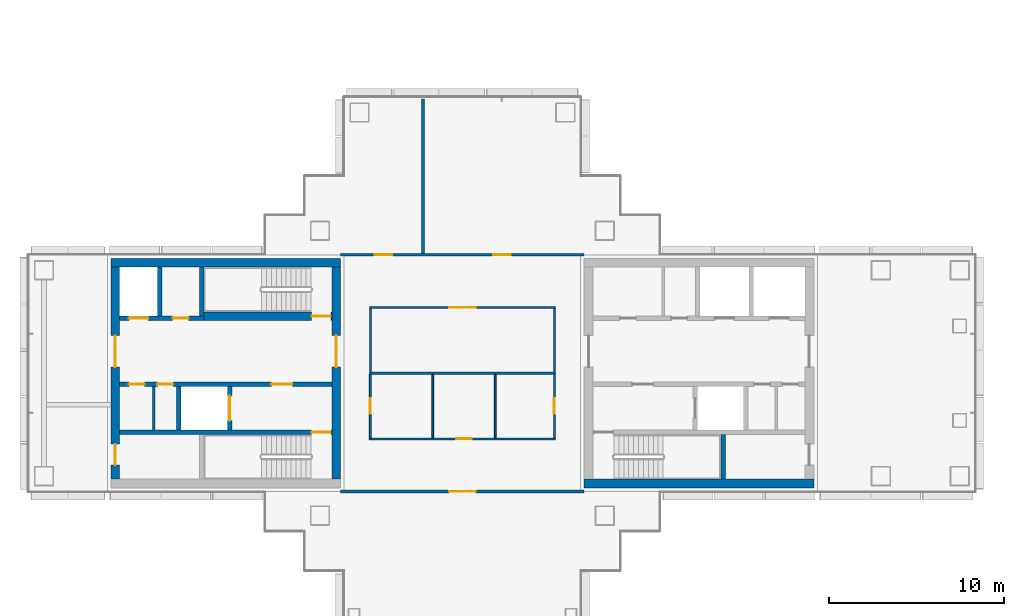
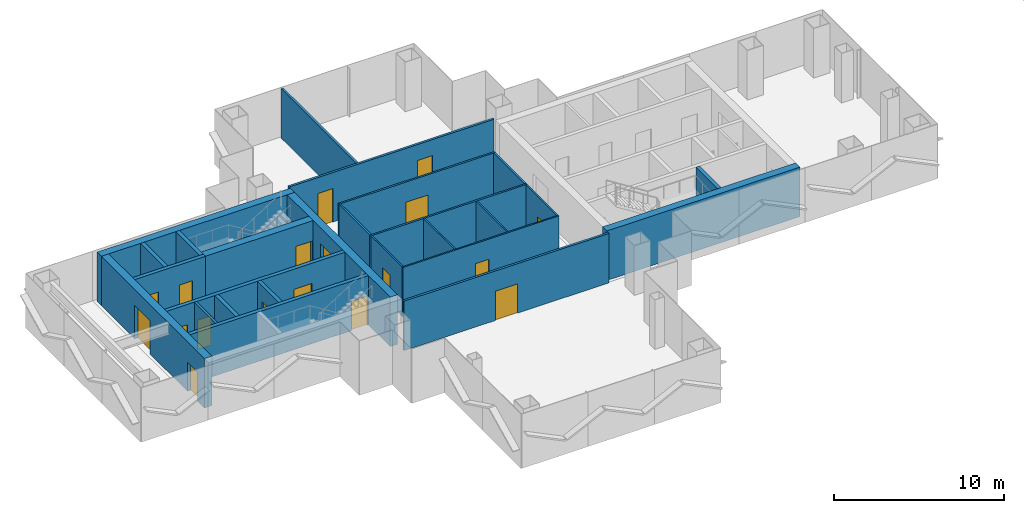
# One storey, part 9 of 16: 26 walls, 18 doors, 18 openings.
"""IFC4 building model written with IfcOpenShell, lengths in metres."""

from ifc_helpers import new_model, si_unit, direction, frame, frame_2d, origin, place, context, subcontext, project, spatial, rectangle, extrude, material, layer, layer_set, type_object, element, fill, save


model = new_model("IFC4")

# Units and contexts
model_context = context("Model", 3, precision=1e-05, world=origin(), true_north=direction((0.0, 1.0)))
body_context = subcontext(model_context, "Body", "Model", "MODEL_VIEW")
ifc_project = project(units=[si_unit("LENGTHUNIT", "METRE"), si_unit("AREAUNIT", "SQUARE_METRE"), si_unit("VOLUMEUNIT", "CUBIC_METRE"), si_unit("PLANEANGLEUNIT", "RADIAN"), si_unit("MASSUNIT", "GRAM", prefix="KILO")], contexts=[model_context])

# Site, building, storey
site_placement = place(None, origin())
site = spatial("IfcSite", under=ifc_project, at=site_placement, CompositionType="ELEMENT")
building_placement = place(site_placement, origin())
building = spatial("IfcBuilding", under=site, at=building_placement, Name="Shamsa Quay Exchange Towers", CompositionType="ELEMENT")
storey_placement = place(building_placement, frame((0.0, 0.0, 162.300048828125)))
storey = spatial("IfcBuildingStorey", under=building, at=storey_placement, Name="L38", CompositionType="ELEMENT", Elevation=162.300048828125)

# Walls
ifc_material_1 = material(Name="Concrete C60/75", Category="concrete")
ifc_layer_1 = layer(ifc_material_1, 0.5)
ifc_layer_set_1 = layer_set([ifc_layer_1], Name="CORE WALL 500 C60/75")
wall_type_1 = type_object("IfcWallType", Name="CORE WALL 500 C60/75", PredefinedType="SHEAR", material=ifc_layer_set_1)
wall_1_placement = place(storey_placement, frame((-26.800048828125, -6.300048828125, 0.0)))
element("IfcWall", 1, at=wall_1_placement, inside=storey, type_object=wall_type_1, Name="Core wall T1A-R18-PS", PredefinedType="SHEAR", context=body_context, shape_type="SweptSolid", body=[
    extrude(rectangle(XDim=13.10009765625, YDim=0.5, at=frame_2d((6.550048828125, 0.0))), origin(), (0.0, 0.0, 1.0), 3.550048828125),
])
wall_2_placement = place(storey_placement, frame((-40.699951171875, 6.300048828125, 0.0), z_axis=(0.0, 0.0, 1.0), x_axis=(-1.0, 0.0, 0.0)))
element("IfcWall", 2, at=wall_2_placement, inside=storey, type_object=wall_type_1, Name="Core wall T1B-R18-PN", PredefinedType="SHEAR", context=body_context, shape_type="SweptSolid", body=[
    extrude(rectangle(XDim=13.10009765625, YDim=0.5, at=frame_2d((6.550048828125, 0.0))), origin(), (0.0, 0.0, 1.0), 3.550048828125),
])

# Wall, opening, door
wall_3_placement = place(storey_placement, frame((-40.949951171875, -6.050048828125, 0.0), z_axis=(0.0, 0.0, 1.0), x_axis=(0.0, 1.0, 0.0)))
wall_3 = element("IfcWall", 3, at=wall_3_placement, inside=storey, type_object=wall_type_1, Name="Core wall T1B-R18-PF", PredefinedType="SHEAR", context=body_context, shape_type="SweptSolid", body=[
    extrude(rectangle(XDim=12.10009765625, YDim=0.5, at=frame_2d((6.050048828125, 0.0))), origin(), (0.0, 0.0, 1.0), 3.550048828125),
])
opening_1_placement = place(wall_3_placement, frame((6.39990234375, 0.0, 0.0)))
opening_1 = element("IfcOpeningElement", 4, at=opening_1_placement, cuts=wall_3, Name="Opening T1B-R18-LBD01", PredefinedType="OPENING", context=body_context, shape_type="SweptSolid", body=[
    extrude(rectangle(XDim=1.800048828125, YDim=2.39990234375, at=frame_2d((0.89990234375, 1.199951171875))), frame((0.0, 0.260009765625, 0.0), z_axis=(0.0, -1.0, 0.0), x_axis=(1.0, 0.0, 0.0)), (0.0, 0.0, 1.0), 0.52001953125),
])
ifc_material_2 = material(Name="Steel, fire rated", Category="steel")
door_type_1 = type_object("IfcDoorType", Name="LIFT LOBBY DOOR PAIR 1800", OperationType="DOUBLE_DOOR_SINGLE_SWING", PredefinedType="DOOR", material=ifc_material_2)
door_1_placement = place(opening_1_placement, origin())
door_1 = element("IfcDoor", 5, at=door_1_placement, inside=storey, type_object=door_type_1, Name="T1B-R18-LBD01", OperationType="DOUBLE_DOOR_SINGLE_SWING", OverallHeight=2.39990234375, OverallWidth=1.800048828125, PredefinedType="DOOR", context=body_context, shape_type="SweptSolid", body=[
    extrude(rectangle(XDim=1.800048828125, YDim=2.39990234375, at=frame_2d((0.89990234375, 1.199951171875))), frame((0.0, 0.02490234375, 0.0), z_axis=(0.0, -1.0, 0.0), x_axis=(1.0, 0.0, 0.0)), (0.0, 0.0, 1.0), 0.050048828125),
])
fill(opening_1, door_1)

# Wall, openings, doors
wall_4_placement = place(storey_placement, frame((-53.550048828125, -6.050048828125, 0.0), z_axis=(0.0, 0.0, 1.0), x_axis=(0.0, 1.0, 0.0)))
wall_4 = element("IfcWall", 6, at=wall_4_placement, inside=storey, type_object=wall_type_1, Name="Core wall T1B-R18-PB", PredefinedType="SHEAR", context=body_context, shape_type="SweptSolid", body=[
    extrude(rectangle(XDim=12.10009765625, YDim=0.5, at=frame_2d((6.050048828125, 0.0))), origin(), (0.0, 0.0, 1.0), 3.550048828125),
])
opening_2_placement = place(wall_4_placement, frame((0.800048828125, 0.0, 0.0)))
opening_2 = element("IfcOpeningElement", 7, at=opening_2_placement, cuts=wall_4, Name="Opening T1B-R18-RD02", PredefinedType="OPENING", context=body_context, shape_type="SweptSolid", body=[
    extrude(rectangle(XDim=1.199951171875, YDim=2.10009765625, at=frame_2d((0.60009765625, 1.050048828125))), frame((0.0, 0.260009765625, 0.0), z_axis=(0.0, -1.0, 0.0), x_axis=(1.0, 0.0, 0.0)), (0.0, 0.0, 1.0), 0.52001953125),
])
opening_3_placement = place(wall_4_placement, frame((6.39990234375, 0.0, 0.0)))
opening_3 = element("IfcOpeningElement", 8, at=opening_3_placement, cuts=wall_4, Name="Opening T1B-R18-LBD03", PredefinedType="OPENING", context=body_context, shape_type="SweptSolid", body=[
    extrude(rectangle(XDim=1.800048828125, YDim=2.39990234375, at=frame_2d((0.89990234375, 1.199951171875))), frame((0.0, 0.260009765625, 0.0), z_axis=(0.0, -1.0, 0.0), x_axis=(1.0, 0.0, 0.0)), (0.0, 0.0, 1.0), 0.52001953125),
])
door_2_placement = place(opening_3_placement, origin())
door_2 = element("IfcDoor", 9, at=door_2_placement, inside=storey, type_object=door_type_1, Name="T1B-R18-LBD03", OperationType="DOUBLE_DOOR_SINGLE_SWING", OverallHeight=2.39990234375, OverallWidth=1.800048828125, PredefinedType="DOOR", context=body_context, shape_type="SweptSolid", body=[
    extrude(rectangle(XDim=1.800048828125, YDim=2.39990234375, at=frame_2d((0.89990234375, 1.199951171875))), frame((0.0, 0.02490234375, 0.0), z_axis=(0.0, -1.0, 0.0), x_axis=(1.0, 0.0, 0.0)), (0.0, 0.0, 1.0), 0.050048828125),
])
fill(opening_3, door_2)
door_type_2 = type_object("IfcDoorType", Name="RISER ACCESS DOOR 1200", OperationType="SINGLE_SWING_LEFT", PredefinedType="DOOR", material=ifc_material_2)
door_3_placement = place(opening_2_placement, origin())
door_3 = element("IfcDoor", 10, at=door_3_placement, inside=storey, type_object=door_type_2, Name="T1B-R18-RD02", OperationType="SINGLE_SWING_LEFT", OverallHeight=2.10009765625, OverallWidth=1.199951171875, PredefinedType="DOOR", context=body_context, shape_type="SweptSolid", body=[
    extrude(rectangle(XDim=1.199951171875, YDim=2.10009765625, at=frame_2d((0.60009765625, 1.050048828125))), frame((0.0, 0.02490234375, 0.0), z_axis=(0.0, -1.0, 0.0), x_axis=(1.0, 0.0, 0.0)), (0.0, 0.0, 1.0), 0.050048828125),
])
fill(opening_2, door_3)

# Walls
ifc_material_3 = material(Name="Gypsum board on steel studs, EI 60", Category="steel")
ifc_layer_2 = layer(ifc_material_3, 0.14990234375)
ifc_layer_set_2 = layer_set([ifc_layer_2], Name="FIRE PARTITION 150")
wall_type_2 = type_object("IfcWallType", Name="FIRE PARTITION 150", PredefinedType="PARTITIONING", material=ifc_layer_set_2)
wall_5_placement = place(storey_placement, frame((-51.35009765625, -3.25, 0.0), z_axis=(0.0, 0.0, 1.0), x_axis=(0.0, 1.0, 0.0)))
element("IfcWall", 11, at=wall_5_placement, inside=storey, type_object=wall_type_2, Name="Partition T1B-R18-EC0", PredefinedType="PARTITIONING", context=body_context, shape_type="SweptSolid", body=[
    extrude(rectangle(XDim=2.5, YDim=0.14990234375, at=frame_2d((1.25, 0.0))), origin(), (0.0, 0.0, 1.0), 3.550048828125),
])
ifc_material_4 = material(Name="Laminated fire-resisting glass in a metal frame", Category="glass")
ifc_layer_3 = layer(ifc_material_4, 0.125)
ifc_layer_set_3 = layer_set([ifc_layer_3], Name="Glazed partition 125 mm EI 60")
wall_type_3 = type_object("IfcWallType", Name="Glazed partition 125 mm EI 60", PredefinedType="PARTITIONING", material=ifc_layer_set_3)
for number, where, z_axis, x_axis, name in (
    (12, (-39.0, 3.6875, 0.0), (0.0, 0.0, 1.0), (0.0, -1.0, 0.0), "Partition T1-R18-W04"),
    (13, (-28.5, 0.0625, 0.0), (0.0, 0.0, 1.0), (0.0, 1.0, 0.0), "Partition T1-R18-W05"),
):
    element("IfcWall", number, at=place(storey_placement, frame(where, z_axis=z_axis, x_axis=x_axis)), inside=storey, type_object=wall_type_3, Name=name, PredefinedType="PARTITIONING", context=body_context, shape_type="SweptSolid", body=[
        extrude(rectangle(XDim=3.625, YDim=0.125, at=frame_2d((1.8125, 0.0))), origin(), (0.0, 0.0, 1.0), 3.550048828125),
    ])

# Wall, opening, door
wall_6_placement = place(storey_placement, frame((-28.4375, 3.75, 0.0), z_axis=(0.0, 0.0, 1.0), x_axis=(-1.0, 0.0, 0.0)))
wall_6 = element("IfcWall", 14, at=wall_6_placement, inside=storey, type_object=wall_type_3, Name="Partition T1-R18-W06", PredefinedType="PARTITIONING", context=body_context, shape_type="SweptSolid", body=[
    extrude(rectangle(XDim=10.625, YDim=0.125, at=frame_2d((5.3125, 0.0))), origin(), (0.0, 0.0, 1.0), 3.550048828125),
])
opening_4_placement = place(wall_6_placement, frame((4.5625, 0.0, 0.0)))
opening_4 = element("IfcOpeningElement", 15, at=opening_4_placement, cuts=wall_6, Name="Opening T1-R18-D06", PredefinedType="OPENING", context=body_context, shape_type="SweptSolid", body=[
    extrude(rectangle(XDim=1.5, YDim=2.10009765625, at=frame_2d((0.75, 1.050048828125))), frame((0.0, 0.072509765625, 0.0), z_axis=(0.0, -1.0, 0.0), x_axis=(1.0, 0.0, 0.0)), (0.0, 0.0, 1.0), 0.14501953125),
])
ifc_material_5 = material(Name="Timber door leaf in a metal frame", Category="wood")
door_type_3 = type_object("IfcDoorType", Name="Door 1500x2100 FD30S pair", OperationType="NOTDEFINED", PredefinedType="DOOR", material=ifc_material_5)
door_4_placement = place(opening_4_placement, origin())
door_4 = element("IfcDoor", 16, at=door_4_placement, inside=storey, type_object=door_type_3, Name="Door T1-R18-D06", OperationType="DOUBLE_DOOR_SINGLE_SWING", OverallHeight=2.10009765625, OverallWidth=1.5, PredefinedType="DOOR", context=body_context, shape_type="SweptSolid", body=[
    extrude(rectangle(XDim=1.5, YDim=2.10009765625, at=frame_2d((0.75, 1.050048828125))), frame((0.0, 0.02490234375, 0.0), z_axis=(0.0, -1.0, 0.0), x_axis=(1.0, 0.0, 0.0)), (0.0, 0.0, 1.0), 0.050048828125),
])
fill(opening_4, door_4)

# Wall
wall_7_placement = place(storey_placement, frame((-28.4375, 0.0, 0.0), z_axis=(0.0, 0.0, 1.0), x_axis=(-1.0, 0.0, 0.0)))
element("IfcWall", 17, at=wall_7_placement, inside=storey, type_object=wall_type_3, Name="Partition T1-R18-W10", PredefinedType="PARTITIONING", context=body_context, shape_type="SweptSolid", body=[
    extrude(rectangle(XDim=10.625, YDim=0.125, at=frame_2d((5.3125, 0.0))), origin(), (0.0, 0.0, 1.0), 3.550048828125),
])

# Wall, opening, door
ifc_material_6 = material(Name="Gypsum board partition on metal studs")
ifc_layer_4 = layer(ifc_material_6, 0.10009765625)
ifc_layer_set_4 = layer_set([ifc_layer_4], Name="Partition 100 mm NOT RATED")
wall_type_4 = type_object("IfcWallType", Name="Partition 100 mm NOT RATED", PredefinedType="PARTITIONING", material=ifc_layer_set_4)
wall_8_placement = place(storey_placement, frame((-39.0, -0.0625, 0.0), z_axis=(0.0, 0.0, 1.0), x_axis=(0.0, -1.0, 0.0)))
wall_8 = element("IfcWall", 18, at=wall_8_placement, inside=storey, type_object=wall_type_4, Name="Partition T1-R18-W01", PredefinedType="PARTITIONING", context=body_context, shape_type="SweptSolid", body=[
    extrude(rectangle(XDim=3.637451171875, YDim=0.10009765625, at=frame_2d((1.81884765625, 0.0))), origin(), (0.0, 0.0, 1.0), 3.550048828125),
])
opening_5_placement = place(wall_8_placement, frame((1.362548828125, 0.0, 0.0)))
opening_5 = element("IfcOpeningElement", 19, at=opening_5_placement, cuts=wall_8, Name="Opening T1-R18-D04", PredefinedType="OPENING", context=body_context, shape_type="SweptSolid", body=[
    extrude(rectangle(XDim=0.89990234375, YDim=2.10009765625, at=frame_2d((0.449951171875, 1.050048828125))), frame((0.0, 0.06005859375, 0.0), z_axis=(0.0, -1.0, 0.0), x_axis=(1.0, 0.0, 0.0)), (0.0, 0.0, 1.0), 0.1201171875),
])
door_type_4 = type_object("IfcDoorType", Name="Door 900x2100 NOT RATED", OperationType="NOTDEFINED", PredefinedType="DOOR", material=ifc_material_5)
door_5_placement = place(opening_5_placement, origin())
door_5 = element("IfcDoor", 20, at=door_5_placement, inside=storey, type_object=door_type_4, Name="Door T1-R18-D04", OperationType="SINGLE_SWING_LEFT", OverallHeight=2.10009765625, OverallWidth=0.89990234375, PredefinedType="DOOR", context=body_context, shape_type="SweptSolid", body=[
    extrude(rectangle(XDim=0.89990234375, YDim=2.10009765625, at=frame_2d((0.449951171875, 1.050048828125))), frame((0.0, 0.02490234375, 0.0), z_axis=(0.0, -1.0, 0.0), x_axis=(1.0, 0.0, 0.0)), (0.0, 0.0, 1.0), 0.050048828125),
])
fill(opening_5, door_5)

wall_9_placement = place(storey_placement, frame((-39.050048828125, -3.75, 0.0)))
wall_9 = element("IfcWall", 21, at=wall_9_placement, inside=storey, type_object=wall_type_4, Name="Partition T1-R18-W02", PredefinedType="PARTITIONING", context=body_context, shape_type="SweptSolid", body=[
    extrude(rectangle(XDim=10.60009765625, YDim=0.10009765625, at=frame_2d((5.300048828125, 0.0))), origin(), (0.0, 0.0, 1.0), 3.550048828125),
])
opening_6_placement = place(wall_9_placement, frame((4.943603515625, 0.0, 0.0)))
opening_6 = element("IfcOpeningElement", 22, at=opening_6_placement, cuts=wall_9, Name="Opening T1-R18-D03", PredefinedType="OPENING", context=body_context, shape_type="SweptSolid", body=[
    extrude(rectangle(XDim=0.89990234375, YDim=2.10009765625, at=frame_2d((0.449951171875, 1.050048828125))), frame((0.0, 0.06005859375, 0.0), z_axis=(0.0, -1.0, 0.0), x_axis=(1.0, 0.0, 0.0)), (0.0, 0.0, 1.0), 0.1201171875),
])
door_6_placement = place(opening_6_placement, origin())
door_6 = element("IfcDoor", 23, at=door_6_placement, inside=storey, type_object=door_type_4, Name="Door T1-R18-D03", OperationType="SINGLE_SWING_RIGHT", OverallHeight=2.10009765625, OverallWidth=0.89990234375, PredefinedType="DOOR", context=body_context, shape_type="SweptSolid", body=[
    extrude(rectangle(XDim=0.89990234375, YDim=2.10009765625, at=frame_2d((0.449951171875, 1.050048828125))), frame((0.0, 0.02490234375, 0.0), z_axis=(0.0, -1.0, 0.0), x_axis=(1.0, 0.0, 0.0)), (0.0, 0.0, 1.0), 0.050048828125),
])
fill(opening_6, door_6)

wall_10_placement = place(storey_placement, frame((-28.5, -3.699951171875, 0.0), z_axis=(0.0, 0.0, 1.0), x_axis=(0.0, 1.0, 0.0)))
wall_10 = element("IfcWall", 24, at=wall_10_placement, inside=storey, type_object=wall_type_4, Name="Partition T1-R18-W03", PredefinedType="PARTITIONING", context=body_context, shape_type="SweptSolid", body=[
    extrude(rectangle(XDim=3.637451171875, YDim=0.10009765625, at=frame_2d((1.81884765625, 0.0))), origin(), (0.0, 0.0, 1.0), 3.550048828125),
])
opening_7_placement = place(wall_10_placement, frame((1.375, 0.0, 0.0)))
opening_7 = element("IfcOpeningElement", 25, at=opening_7_placement, cuts=wall_10, Name="Opening T1-R18-D05", PredefinedType="OPENING", context=body_context, shape_type="SweptSolid", body=[
    extrude(rectangle(XDim=0.89990234375, YDim=2.10009765625, at=frame_2d((0.449951171875, 1.050048828125))), frame((0.0, 0.06005859375, 0.0), z_axis=(0.0, -1.0, 0.0), x_axis=(1.0, 0.0, 0.0)), (0.0, 0.0, 1.0), 0.1201171875),
])
door_7_placement = place(opening_7_placement, origin())
door_7 = element("IfcDoor", 26, at=door_7_placement, inside=storey, type_object=door_type_4, Name="Door T1-R18-D05", OperationType="SINGLE_SWING_RIGHT", OverallHeight=2.10009765625, OverallWidth=0.89990234375, PredefinedType="DOOR", context=body_context, shape_type="SweptSolid", body=[
    extrude(rectangle(XDim=0.89990234375, YDim=2.10009765625, at=frame_2d((0.449951171875, 1.050048828125))), frame((0.0, 0.02490234375, 0.0), z_axis=(0.0, -1.0, 0.0), x_axis=(1.0, 0.0, 0.0)), (0.0, 0.0, 1.0), 0.050048828125),
])
fill(opening_7, door_7)

# Walls
for number, where, z_axis, x_axis, name in (
    (27, (-35.4375, -3.699951171875, 0.0), (0.0, 0.0, 1.0), (0.0, 1.0, 0.0), "Partition T1-R18-W09"),
    (28, (-31.875, -3.699951171875, 0.0), (0.0, 0.0, 1.0), (0.0, 1.0, 0.0), "Partition T1-R18-W11"),
):
    element("IfcWall", number, at=place(storey_placement, frame(where, z_axis=z_axis, x_axis=x_axis)), inside=storey, type_object=wall_type_4, Name=name, PredefinedType="PARTITIONING", context=body_context, shape_type="SweptSolid", body=[
        extrude(rectangle(XDim=3.637451171875, YDim=0.10009765625, at=frame_2d((1.81884765625, 0.0))), origin(), (0.0, 0.0, 1.0), 3.550048828125),
    ])

# Wall, openings, doors
ifc_layer_5 = layer(ifc_material_6, 0.14990234375)
ifc_layer_set_5 = layer_set([ifc_layer_5], Name="Partition 150 mm EI 60")
wall_type_5 = type_object("IfcWallType", Name="Partition 150 mm EI 60", PredefinedType="PARTITIONING", material=ifc_layer_set_5)
wall_11_placement = place(storey_placement, frame((-40.699951171875, 6.75, 0.0)))
wall_11 = element("IfcWall", 29, at=wall_11_placement, inside=storey, type_object=wall_type_5, Name="Partition T1-R18-W07", PredefinedType="PARTITIONING", context=body_context, shape_type="SweptSolid", body=[
    extrude(rectangle(XDim=13.89990234375, YDim=0.14990234375, at=frame_2d((6.949951171875, 0.0))), origin(), (0.0, 0.0, 1.0), 3.550048828125),
])
opening_8_placement = place(wall_11_placement, frame((1.949951171875, 0.0, 0.0)))
opening_8 = element("IfcOpeningElement", 30, at=opening_8_placement, cuts=wall_11, Name="Opening T1-R18-D01", PredefinedType="OPENING", context=body_context, shape_type="SweptSolid", body=[
    extrude(rectangle(XDim=1.0, YDim=2.39990234375, at=frame_2d((0.5, 1.199951171875))), frame((0.0, 0.0849609375, 0.0), z_axis=(0.0, -1.0, 0.0), x_axis=(1.0, 0.0, 0.0)), (0.0, 0.0, 1.0), 0.169921875),
])
opening_9_placement = place(wall_11_placement, frame((8.699951171875, 0.0, 0.0)))
opening_9 = element("IfcOpeningElement", 31, at=opening_9_placement, cuts=wall_11, Name="Opening T1-R18-D02", PredefinedType="OPENING", context=body_context, shape_type="SweptSolid", body=[
    extrude(rectangle(XDim=1.0, YDim=2.39990234375, at=frame_2d((0.5, 1.199951171875))), frame((0.0, 0.0849609375, 0.0), z_axis=(0.0, -1.0, 0.0), x_axis=(1.0, 0.0, 0.0)), (0.0, 0.0, 1.0), 0.169921875),
])
door_type_5 = type_object("IfcDoorType", Name="Door 1000x2400 FD30S", OperationType="NOTDEFINED", PredefinedType="DOOR", material=ifc_material_5)
door_8_placement = place(opening_8_placement, origin())
door_8 = element("IfcDoor", 32, at=door_8_placement, inside=storey, type_object=door_type_5, Name="Door T1-R18-D01", OperationType="SINGLE_SWING_RIGHT", OverallHeight=2.39990234375, OverallWidth=1.0, PredefinedType="DOOR", context=body_context, shape_type="SweptSolid", body=[
    extrude(rectangle(XDim=1.0, YDim=2.39990234375, at=frame_2d((0.5, 1.199951171875))), frame((0.0, 0.02490234375, 0.0), z_axis=(0.0, -1.0, 0.0), x_axis=(1.0, 0.0, 0.0)), (0.0, 0.0, 1.0), 0.050048828125),
])
fill(opening_8, door_8)
door_9_placement = place(opening_9_placement, origin())
door_9 = element("IfcDoor", 33, at=door_9_placement, inside=storey, type_object=door_type_5, Name="Door T1-R18-D02", OperationType="SINGLE_SWING_LEFT", OverallHeight=2.39990234375, OverallWidth=1.0, PredefinedType="DOOR", context=body_context, shape_type="SweptSolid", body=[
    extrude(rectangle(XDim=1.0, YDim=2.39990234375, at=frame_2d((0.5, 1.199951171875))), frame((0.0, 0.02490234375, 0.0), z_axis=(0.0, -1.0, 0.0), x_axis=(1.0, 0.0, 0.0)), (0.0, 0.0, 1.0), 0.050048828125),
])
fill(opening_9, door_9)

# Wall, opening, door
wall_12_placement = place(storey_placement, frame((-26.800048828125, -6.75, 0.0), z_axis=(0.0, 0.0, 1.0), x_axis=(-1.0, 0.0, 0.0)))
wall_12 = element("IfcWall", 34, at=wall_12_placement, inside=storey, type_object=wall_type_5, Name="Partition T1-R18-W08", PredefinedType="PARTITIONING", context=body_context, shape_type="SweptSolid", body=[
    extrude(rectangle(XDim=13.89990234375, YDim=0.14990234375, at=frame_2d((6.949951171875, 0.0))), origin(), (0.0, 0.0, 1.0), 3.550048828125),
])
opening_10_placement = place(wall_12_placement, frame((6.199951171875, 0.0, 0.0)))
opening_10 = element("IfcOpeningElement", 35, at=opening_10_placement, cuts=wall_12, Name="Opening T1-R18-D07", PredefinedType="OPENING", context=body_context, shape_type="SweptSolid", body=[
    extrude(rectangle(XDim=1.5, YDim=2.10009765625, at=frame_2d((0.75, 1.050048828125))), frame((0.0, 0.0849609375, 0.0), z_axis=(0.0, -1.0, 0.0), x_axis=(1.0, 0.0, 0.0)), (0.0, 0.0, 1.0), 0.169921875),
])
door_10_placement = place(opening_10_placement, origin())
door_10 = element("IfcDoor", 36, at=door_10_placement, inside=storey, type_object=door_type_3, Name="Door T1-R18-D07", OperationType="DOUBLE_DOOR_SINGLE_SWING", OverallHeight=2.10009765625, OverallWidth=1.5, PredefinedType="DOOR", context=body_context, shape_type="SweptSolid", body=[
    extrude(rectangle(XDim=1.5, YDim=2.10009765625, at=frame_2d((0.75, 1.050048828125))), frame((0.0, 0.02490234375, 0.0), z_axis=(0.0, -1.0, 0.0), x_axis=(1.0, 0.0, 0.0)), (0.0, 0.0, 1.0), 0.050048828125),
])
fill(opening_10, door_10)

# Walls
wall_13_placement = place(storey_placement, frame((-36.0, 6.824951171875, 0.0), z_axis=(0.0, 0.0, 1.0), x_axis=(0.0, 1.0, 0.0)))
element("IfcWall", 37, at=wall_13_placement, inside=storey, type_object=wall_type_5, Name="Partition T1-R18-W12", PredefinedType="PARTITIONING", context=body_context, shape_type="SweptSolid", body=[
    extrude(rectangle(XDim=8.830078125, YDim=0.14990234375, at=frame_2d((4.4150390625, 0.0))), origin(), (0.0, 0.0, 1.0), 3.550048828125),
])
ifc_material_7 = material(Name="Concrete C50/60", Category="concrete")
ifc_layer_6 = layer(ifc_material_7, 0.25)
ifc_layer_set_6 = layer_set([ifc_layer_6], Name="SHAFT WALL 250 C50/60")
wall_type_6 = type_object("IfcWallType", Name="SHAFT WALL 250 C50/60", PredefinedType="SHEAR", material=ifc_layer_set_6)
wall_14_placement = place(storey_placement, frame((-18.875, -6.050048828125, 0.0), z_axis=(0.0, 0.0, 1.0), x_axis=(0.0, 1.0, 0.0)))
element("IfcWall", 38, at=wall_14_placement, inside=storey, type_object=wall_type_6, Name="Shaft wall T1A-R18-STF", PredefinedType="SHEAR", context=body_context, shape_type="SweptSolid", body=[
    extrude(rectangle(XDim=2.550048828125, YDim=0.25, at=frame_2d((1.27490234375, 0.0))), origin(), (0.0, 0.0, 1.0), 3.550048828125),
])

# Wall, opening, door
wall_15_placement = place(storey_placement, frame((-41.199951171875, -3.375, 0.0), z_axis=(0.0, 0.0, 1.0), x_axis=(-1.0, 0.0, 0.0)))
wall_15 = element("IfcWall", 39, at=wall_15_placement, inside=storey, type_object=wall_type_6, Name="Shaft wall T1B-R18-STL", PredefinedType="SHEAR", context=body_context, shape_type="SweptSolid", body=[
    extrude(rectangle(XDim=12.10009765625, YDim=0.25, at=frame_2d((6.050048828125, 0.0))), origin(), (0.0, 0.0, 1.0), 3.550048828125),
])
opening_11_placement = place(wall_15_placement, frame((0.050048828125, 0.0, 0.0)))
opening_11 = element("IfcOpeningElement", 40, at=opening_11_placement, cuts=wall_15, Name="Opening T1B-R18-SD04", PredefinedType="OPENING", context=body_context, shape_type="SweptSolid", body=[
    extrude(rectangle(XDim=1.10009765625, YDim=2.10009765625, at=frame_2d((0.550048828125, 1.050048828125))), frame((0.0, 0.135009765625, 0.0), z_axis=(0.0, -1.0, 0.0), x_axis=(1.0, 0.0, 0.0)), (0.0, 0.0, 1.0), 0.27001953125),
])
door_type_6 = type_object("IfcDoorType", Name="STAIR DOOR 1100", OperationType="SINGLE_SWING_LEFT", PredefinedType="DOOR", material=ifc_material_2)
door_11_placement = place(opening_11_placement, origin())
door_11 = element("IfcDoor", 41, at=door_11_placement, inside=storey, type_object=door_type_6, Name="T1B-R18-SD04", OperationType="SINGLE_SWING_LEFT", OverallHeight=2.10009765625, OverallWidth=1.10009765625, PredefinedType="DOOR", context=body_context, shape_type="SweptSolid", body=[
    extrude(rectangle(XDim=1.10009765625, YDim=2.10009765625, at=frame_2d((0.550048828125, 1.050048828125))), frame((0.0, 0.02490234375, 0.0), z_axis=(0.0, -1.0, 0.0), x_axis=(1.0, 0.0, 0.0)), (0.0, 0.0, 1.0), 0.050048828125),
])
fill(opening_11, door_11)

# Wall, openings, doors
wall_16_placement = place(storey_placement, frame((-41.199951171875, -0.625, 0.0), z_axis=(0.0, 0.0, 1.0), x_axis=(-1.0, 0.0, 0.0)))
wall_16 = element("IfcWall", 42, at=wall_16_placement, inside=storey, type_object=wall_type_6, Name="Shaft wall T1B-R18-B", PredefinedType="SHEAR", context=body_context, shape_type="SweptSolid", body=[
    extrude(rectangle(XDim=12.10009765625, YDim=0.25, at=frame_2d((6.050048828125, 0.0))), origin(), (0.0, 0.0, 1.0), 3.550048828125),
])
opening_12_placement = place(wall_16_placement, frame((2.25, 0.0, 0.0)))
opening_12 = element("IfcOpeningElement", 43, at=opening_12_placement, cuts=wall_16, Name="Opening T1B-R18-FD05", PredefinedType="OPENING", context=body_context, shape_type="SweptSolid", body=[
    extrude(rectangle(XDim=1.199951171875, YDim=2.10009765625, at=frame_2d((0.60009765625, 1.050048828125))), frame((0.0, 0.135009765625, 0.0), z_axis=(0.0, -1.0, 0.0), x_axis=(1.0, 0.0, 0.0)), (0.0, 0.0, 1.0), 0.27001953125),
])
opening_13_placement = place(wall_16_placement, frame((9.050048828125, 0.0, 0.0)))
opening_13 = element("IfcOpeningElement", 44, at=opening_13_placement, cuts=wall_16, Name="Opening T1B-R18-SV06", PredefinedType="OPENING", context=body_context, shape_type="SweptSolid", body=[
    extrude(rectangle(XDim=0.89990234375, YDim=2.10009765625, at=frame_2d((0.449951171875, 1.050048828125))), frame((0.0, 0.135009765625, 0.0), z_axis=(0.0, -1.0, 0.0), x_axis=(1.0, 0.0, 0.0)), (0.0, 0.0, 1.0), 0.27001953125),
])
opening_14_placement = place(wall_16_placement, frame((10.675048828125, 0.0, 0.0)))
opening_14 = element("IfcOpeningElement", 45, at=opening_14_placement, cuts=wall_16, Name="Opening T1B-R18-SV07", PredefinedType="OPENING", context=body_context, shape_type="SweptSolid", body=[
    extrude(rectangle(XDim=0.89990234375, YDim=2.10009765625, at=frame_2d((0.449951171875, 1.050048828125))), frame((0.0, 0.135009765625, 0.0), z_axis=(0.0, -1.0, 0.0), x_axis=(1.0, 0.0, 0.0)), (0.0, 0.0, 1.0), 0.27001953125),
])
door_type_7 = type_object("IfcDoorType", Name="FIRE SERVICE LOBBY DOOR 1200", OperationType="SINGLE_SWING_LEFT", PredefinedType="DOOR", material=ifc_material_2)
door_12_placement = place(opening_12_placement, origin())
door_12 = element("IfcDoor", 46, at=door_12_placement, inside=storey, type_object=door_type_7, Name="T1B-R18-FD05", OperationType="SINGLE_SWING_LEFT", OverallHeight=2.10009765625, OverallWidth=1.199951171875, PredefinedType="DOOR", context=body_context, shape_type="SweptSolid", body=[
    extrude(rectangle(XDim=1.199951171875, YDim=2.10009765625, at=frame_2d((0.60009765625, 1.050048828125))), frame((0.0, 0.02490234375, 0.0), z_axis=(0.0, -1.0, 0.0), x_axis=(1.0, 0.0, 0.0)), (0.0, 0.0, 1.0), 0.050048828125),
])
fill(opening_12, door_12)
door_type_8 = type_object("IfcDoorType", Name="SERVICE ROOM DOOR 900", OperationType="SINGLE_SWING_LEFT", PredefinedType="DOOR", material=ifc_material_2)
door_13_placement = place(opening_13_placement, origin())
door_13 = element("IfcDoor", 47, at=door_13_placement, inside=storey, type_object=door_type_8, Name="T1B-R18-SV06", OperationType="SINGLE_SWING_RIGHT", OverallHeight=2.10009765625, OverallWidth=0.89990234375, PredefinedType="DOOR", context=body_context, shape_type="SweptSolid", body=[
    extrude(rectangle(XDim=0.89990234375, YDim=2.10009765625, at=frame_2d((0.449951171875, 1.050048828125))), frame((0.0, 0.02490234375, 0.0), z_axis=(0.0, -1.0, 0.0), x_axis=(1.0, 0.0, 0.0)), (0.0, 0.0, 1.0), 0.050048828125),
])
fill(opening_13, door_13)
door_14_placement = place(opening_14_placement, origin())
door_14 = element("IfcDoor", 48, at=door_14_placement, inside=storey, type_object=door_type_8, Name="T1B-R18-SV07", OperationType="SINGLE_SWING_RIGHT", OverallHeight=2.10009765625, OverallWidth=0.89990234375, PredefinedType="DOOR", context=body_context, shape_type="SweptSolid", body=[
    extrude(rectangle(XDim=0.89990234375, YDim=2.10009765625, at=frame_2d((0.449951171875, 1.050048828125))), frame((0.0, 0.02490234375, 0.0), z_axis=(0.0, -1.0, 0.0), x_axis=(1.0, 0.0, 0.0)), (0.0, 0.0, 1.0), 0.050048828125),
])
fill(opening_14, door_14)

# Wall, opening, door
wall_17_placement = place(storey_placement, frame((-47.02490234375, -3.25, 0.0), z_axis=(0.0, 0.0, 1.0), x_axis=(0.0, 1.0, 0.0)))
wall_17 = element("IfcWall", 49, at=wall_17_placement, inside=storey, type_object=wall_type_6, Name="Shaft wall T1B-R18-FFF", PredefinedType="SHEAR", context=body_context, shape_type="SweptSolid", body=[
    extrude(rectangle(XDim=2.5, YDim=0.25, at=frame_2d((1.25, 0.0))), origin(), (0.0, 0.0, 1.0), 3.550048828125),
])
opening_15_placement = place(wall_17_placement, frame((0.550048828125, 0.0, 0.0)))
opening_15 = element("IfcOpeningElement", 50, at=opening_15_placement, cuts=wall_17, Name="Opening T1B-R18-LDG08", PredefinedType="OPENING", context=body_context, shape_type="SweptSolid", body=[
    extrude(rectangle(XDim=1.39990234375, YDim=2.39990234375, at=frame_2d((0.699951171875, 1.199951171875))), frame((0.0, 0.135009765625, 0.0), z_axis=(0.0, -1.0, 0.0), x_axis=(1.0, 0.0, 0.0)), (0.0, 0.0, 1.0), 0.27001953125),
])
door_type_9 = type_object("IfcDoorType", Name="GOODS LIFT LANDING DOOR 1400", OperationType="SLIDING_TO_LEFT", PredefinedType="DOOR", material=ifc_material_2)
door_15_placement = place(opening_15_placement, origin())
door_15 = element("IfcDoor", 51, at=door_15_placement, inside=storey, type_object=door_type_9, Name="T1B-R18-LDG08", OperationType="SLIDING_TO_LEFT", OverallHeight=2.39990234375, OverallWidth=1.39990234375, PredefinedType="DOOR", context=body_context, shape_type="SweptSolid", body=[
    extrude(rectangle(XDim=1.39990234375, YDim=2.39990234375, at=frame_2d((0.699951171875, 1.199951171875))), frame((0.0, 0.02490234375, 0.0), z_axis=(0.0, -1.0, 0.0), x_axis=(1.0, 0.0, 0.0)), (0.0, 0.0, 1.0), 0.050048828125),
])
fill(opening_15, door_15)

# Wall
wall_18_placement = place(storey_placement, frame((-49.925048828125, -3.25, 0.0), z_axis=(0.0, 0.0, 1.0), x_axis=(0.0, 1.0, 0.0)))
element("IfcWall", 52, at=wall_18_placement, inside=storey, type_object=wall_type_6, Name="Shaft wall T1B-R18-FFB", PredefinedType="SHEAR", context=body_context, shape_type="SweptSolid", body=[
    extrude(rectangle(XDim=2.5, YDim=0.25, at=frame_2d((1.25, 0.0))), origin(), (0.0, 0.0, 1.0), 3.550048828125),
])

# Wall, openings, doors
wall_19_placement = place(storey_placement, frame((-53.300048828125, 3.125, 0.0)))
wall_19 = element("IfcWall", 53, at=wall_19_placement, inside=storey, type_object=wall_type_6, Name="Shaft wall T1B-R18-N2", PredefinedType="SHEAR", context=body_context, shape_type="SweptSolid", body=[
    extrude(rectangle(XDim=4.800048828125, YDim=0.25, at=frame_2d((2.39990234375, 0.0))), origin(), (0.0, 0.0, 1.0), 3.550048828125),
])
opening_16_placement = place(wall_19_placement, frame((0.52490234375, 0.0, 0.0)))
opening_16 = element("IfcOpeningElement", 54, at=opening_16_placement, cuts=wall_19, Name="Opening T1B-R18-LD10", PredefinedType="OPENING", context=body_context, shape_type="SweptSolid", body=[
    extrude(rectangle(XDim=1.10009765625, YDim=2.10009765625, at=frame_2d((0.550048828125, 1.050048828125))), frame((0.0, 0.135009765625, 0.0), z_axis=(0.0, -1.0, 0.0), x_axis=(1.0, 0.0, 0.0)), (0.0, 0.0, 1.0), 0.27001953125),
])
opening_17_placement = place(wall_19_placement, frame((3.02490234375, 0.0, 0.0)))
opening_17 = element("IfcOpeningElement", 55, at=opening_17_placement, cuts=wall_19, Name="Opening T1B-R18-SV11", PredefinedType="OPENING", context=body_context, shape_type="SweptSolid", body=[
    extrude(rectangle(XDim=0.89990234375, YDim=2.10009765625, at=frame_2d((0.449951171875, 1.050048828125))), frame((0.0, 0.135009765625, 0.0), z_axis=(0.0, -1.0, 0.0), x_axis=(1.0, 0.0, 0.0)), (0.0, 0.0, 1.0), 0.27001953125),
])
door_type_10 = type_object("IfcDoorType", Name="LANDING DOOR 1100", OperationType="SLIDING_TO_LEFT", PredefinedType="DOOR", material=ifc_material_2)
door_16_placement = place(opening_16_placement, origin())
door_16 = element("IfcDoor", 56, at=door_16_placement, inside=storey, type_object=door_type_10, Name="T1B-R18-LD10", OperationType="SLIDING_TO_LEFT", OverallHeight=2.10009765625, OverallWidth=1.10009765625, PredefinedType="DOOR", context=body_context, shape_type="SweptSolid", body=[
    extrude(rectangle(XDim=1.10009765625, YDim=2.10009765625, at=frame_2d((0.550048828125, 1.050048828125))), frame((0.0, 0.02490234375, 0.0), z_axis=(0.0, -1.0, 0.0), x_axis=(1.0, 0.0, 0.0)), (0.0, 0.0, 1.0), 0.050048828125),
])
fill(opening_16, door_16)
door_17_placement = place(opening_17_placement, origin())
door_17 = element("IfcDoor", 57, at=door_17_placement, inside=storey, type_object=door_type_8, Name="T1B-R18-SV11", OperationType="SINGLE_SWING_RIGHT", OverallHeight=2.10009765625, OverallWidth=0.89990234375, PredefinedType="DOOR", context=body_context, shape_type="SweptSolid", body=[
    extrude(rectangle(XDim=0.89990234375, YDim=2.10009765625, at=frame_2d((0.449951171875, 1.050048828125))), frame((0.0, 0.02490234375, 0.0), z_axis=(0.0, -1.0, 0.0), x_axis=(1.0, 0.0, 0.0)), (0.0, 0.0, 1.0), 0.050048828125),
])
fill(opening_17, door_17)

# Walls
for number, where, z_axis, x_axis, name in (
    (58, (-48.625, 3.25, 0.0), (0.0, 0.0, 1.0), (0.0, 1.0, 0.0), "Shaft wall T1B-R18-STF2"),
    (59, (-51.02490234375, 3.25, 0.0), (0.0, 0.0, 1.0), (0.0, 1.0, 0.0), "Shaft wall T1B-R18-D0"),
):
    element("IfcWall", number, at=place(storey_placement, frame(where, z_axis=z_axis, x_axis=x_axis)), inside=storey, type_object=wall_type_6, Name=name, PredefinedType="SHEAR", context=body_context, shape_type="SweptSolid", body=[
        extrude(rectangle(XDim=2.800048828125, YDim=0.25, at=frame_2d((1.39990234375, 0.0))), origin(), (0.0, 0.0, 1.0), 3.550048828125),
    ])

# Wall, opening, door
ifc_layer_7 = layer(ifc_material_7, 0.5)
ifc_layer_set_7 = layer_set([ifc_layer_7], Name="SHAFT WALL 500 C50/60")
wall_type_7 = type_object("IfcWallType", Name="SHAFT WALL 500 C50/60", PredefinedType="SHEAR", material=ifc_layer_set_7)
wall_20_placement = place(storey_placement, frame((-48.5, 3.25, 0.0)))
wall_20 = element("IfcWall", 60, at=wall_20_placement, inside=storey, type_object=wall_type_7, Name="Shaft wall T1B-R18-N", PredefinedType="SHEAR", context=body_context, shape_type="SweptSolid", body=[
    extrude(rectangle(XDim=7.300048828125, YDim=0.5, at=frame_2d((3.64990234375, 0.0))), origin(), (0.0, 0.0, 1.0), 3.550048828125),
])
opening_18_placement = place(wall_20_placement, frame((6.14990234375, 0.0, 0.0)))
opening_18 = element("IfcOpeningElement", 61, at=opening_18_placement, cuts=wall_20, Name="Opening T1B-R18-SD09", PredefinedType="OPENING", context=body_context, shape_type="SweptSolid", body=[
    extrude(rectangle(XDim=1.10009765625, YDim=2.10009765625, at=frame_2d((0.550048828125, 1.050048828125))), frame((0.0, 0.260009765625, 0.0), z_axis=(0.0, -1.0, 0.0), x_axis=(1.0, 0.0, 0.0)), (0.0, 0.0, 1.0), 0.52001953125),
])
door_18_placement = place(opening_18_placement, origin())
door_18 = element("IfcDoor", 62, at=door_18_placement, inside=storey, type_object=door_type_6, Name="T1B-R18-SD09", OperationType="SINGLE_SWING_RIGHT", OverallHeight=2.10009765625, OverallWidth=1.10009765625, PredefinedType="DOOR", context=body_context, shape_type="SweptSolid", body=[
    extrude(rectangle(XDim=1.10009765625, YDim=2.10009765625, at=frame_2d((0.550048828125, 1.050048828125))), frame((0.0, 0.02490234375, 0.0), z_axis=(0.0, -1.0, 0.0), x_axis=(1.0, 0.0, 0.0)), (0.0, 0.0, 1.0), 0.050048828125),
])
fill(opening_18, door_18)

save(model, "model.ifc")
